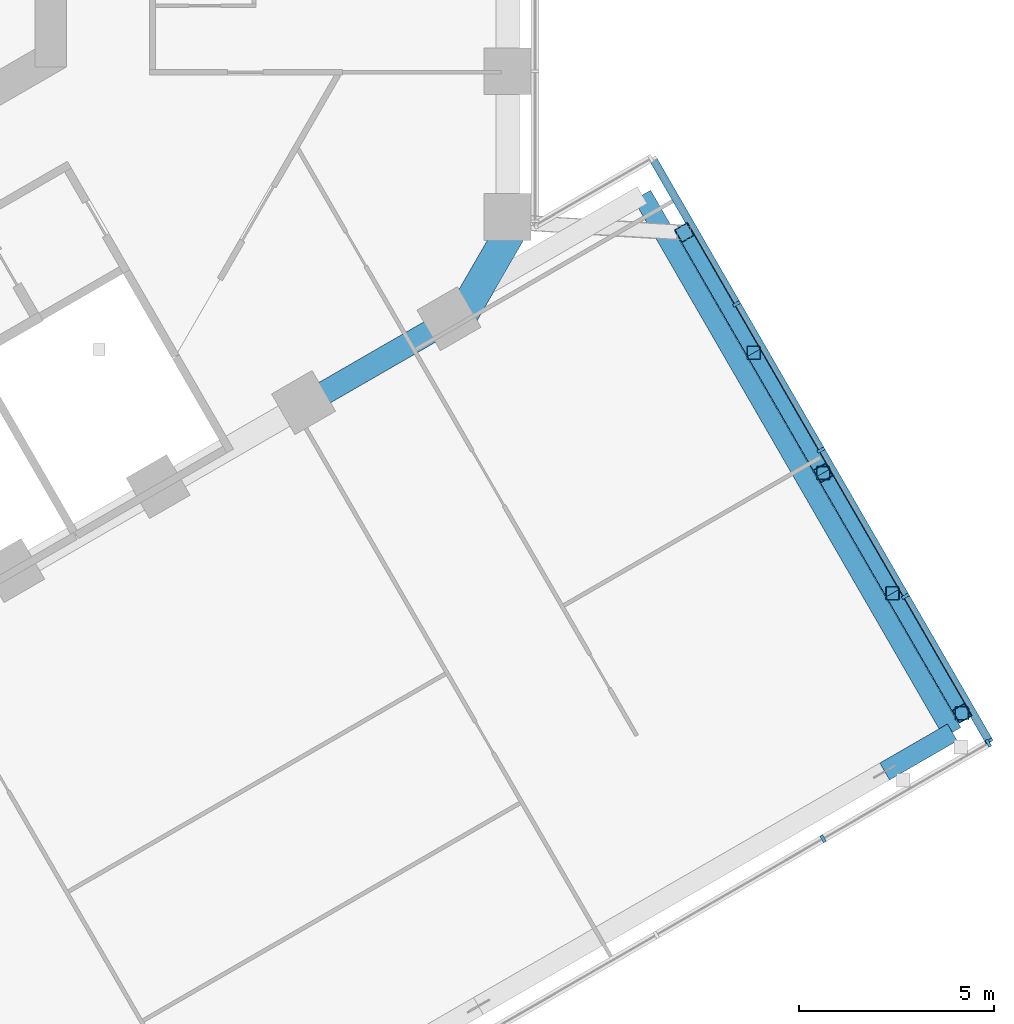
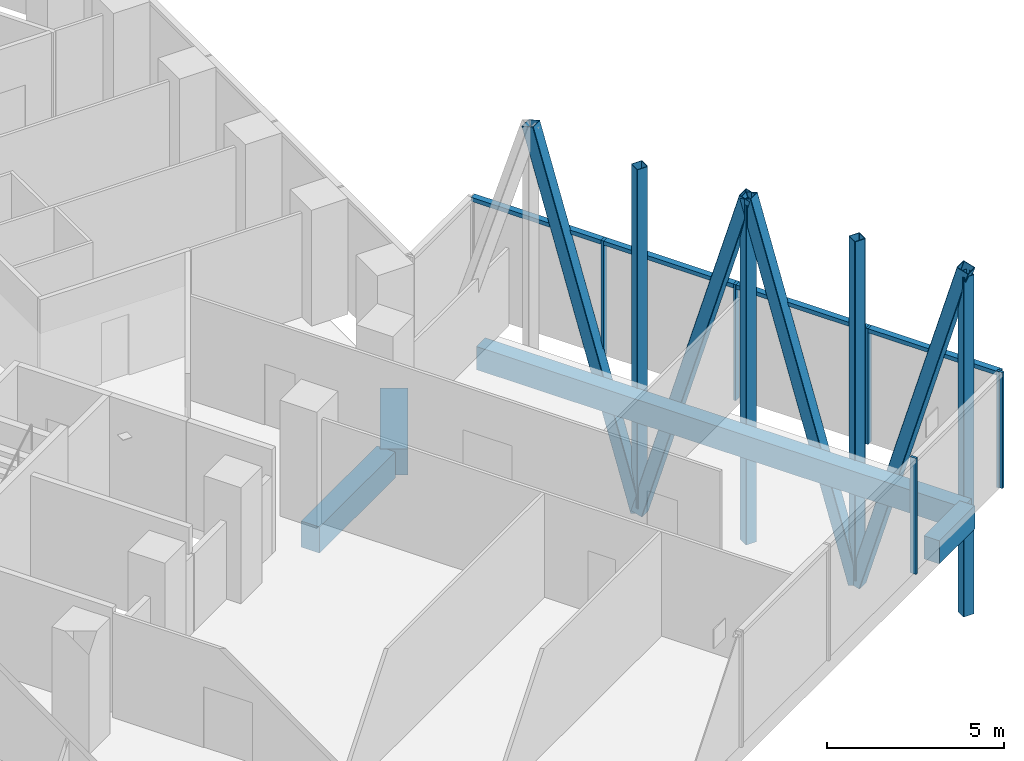
# One storey, part 5 of 27: 15 members, 4 beams, 2 elements without a shape of their own.
"""IFC4 building model written with IfcOpenShell, lengths in metres."""

from ifc_helpers import new_model, si_unit, direction, frame, origin, origin_2d, place, context, subcontext, project, spatial, rectangle, hollow_rectangle, extrude, material, layer, layer_set, material_profile, profile_set, type_object, element, aggregate, save


model = new_model("IFC4")

# Units and contexts
model_context = context("Model", 3, precision=1e-05, world=origin(), true_north=direction((0.0, 1.0)))
body_context = subcontext(model_context, "Body", "Model", "MODEL_VIEW")
ifc_project = project(units=[si_unit("LENGTHUNIT", "METRE"), si_unit("AREAUNIT", "SQUARE_METRE"), si_unit("VOLUMEUNIT", "CUBIC_METRE"), si_unit("PLANEANGLEUNIT", "RADIAN"), si_unit("MASSUNIT", "GRAM", prefix="KILO")], contexts=[model_context])

# Site, building, storey
site_placement = place(None, origin())
site = spatial("IfcSite", under=ifc_project, at=site_placement, CompositionType="ELEMENT")
building_placement = place(site_placement, origin())
building = spatial("IfcBuilding", under=site, at=building_placement, Name="Ayvan Gate Tower", CompositionType="ELEMENT")
storey_placement = place(building_placement, frame((0.0, 0.0, 70.300048828125)))
storey = spatial("IfcBuildingStorey", under=building, at=storey_placement, Name="L18", CompositionType="ELEMENT", Elevation=70.300048828125)

# Beams
ifc_material_1 = material(Name="Concrete C40/50", Category="concrete")
ifc_material_profile_1 = material_profile(ifc_material_1, rectangle(XDim=0.800048828125, YDim=0.89990234375, at=origin_2d()), Name="RC 800x900")
ifc_profile_set_1 = profile_set([ifc_material_profile_1], Name="Concrete C40/50")
beam_type_1 = type_object("IfcBeamType", Name="Corner spandrel beam RC 800x900 C40/50", PredefinedType="BEAM", material=ifc_profile_set_1)
beam_1_placement = place(storey_placement, frame((19.47509765625, -12.090087890625, -0.85009765625), z_axis=(0.50002537861, 0.866010750942, 0.0), x_axis=(-0.866010750942, 0.50002537861, 0.0)))
element("IfcBeam", 1, at=beam_1_placement, inside=storey, type_object=beam_type_1, Name="SB-L18-36", PredefinedType="BEAM", context=body_context, shape_type="SweptSolid", body=[
    extrude(rectangle(XDim=0.800048828125, YDim=0.89990234375, at=origin_2d()), origin(), (0.0, 0.0, 1.0), 2.999755859375),
])
ifc_material_profile_2 = material_profile(ifc_material_1, rectangle(XDim=0.5, YDim=0.800048828125, at=origin_2d()), Name="RC 500x800")
ifc_profile_set_2 = profile_set([ifc_material_profile_2], Name="Concrete C40/50")
beam_type_2 = type_object("IfcBeamType", Name="Sky bar edge beam RC 500x800 C40/50", PredefinedType="BEAM", material=ifc_profile_set_2)
beam_2_placement = place(storey_placement, frame((24.227294921875, -8.762939453125, -0.800048828125), z_axis=(0.500007429784, -0.866021114154, 0.0), x_axis=(0.866021114154, 0.500007429784, 0.0)))
element("IfcBeam", 2, at=beam_2_placement, inside=storey, type_object=beam_type_2, Name="EB-B1-L18-2", PredefinedType="BEAM", context=body_context, shape_type="SweptSolid", body=[
    extrude(rectangle(XDim=0.5, YDim=0.800048828125, at=origin_2d()), origin(), (0.0, 0.0, 1.0), 15.869873046875),
])
beam_3_placement = place(storey_placement, frame((32.162353515625, -22.506591796875, -0.800048828125), z_axis=(-0.866041268327, -0.499972520799, 0.0), x_axis=(0.499972520799, -0.866041268327, 0.0)))
element("IfcBeam", 3, at=beam_3_placement, inside=storey, type_object=beam_type_2, Name="EB-B1-L18-3", PredefinedType="BEAM", context=body_context, shape_type="SweptSolid", body=[
    extrude(rectangle(XDim=0.5, YDim=0.800048828125, at=origin_2d()), origin(), (0.0, 0.0, 1.0), 2.0),
])

# Members
ifc_material_2 = material(Name="Steel S460NH", Category="steel")
ifc_material_profile_3 = material_profile(ifc_material_2, hollow_rectangle(XDim=0.39990234375, YDim=0.39990234375, WallThickness=0.02001953125, InnerFilletRadius=0.02001953125, OuterFilletRadius=0.030029296875, at=origin_2d()), Name="RHS 400x400x20")
ifc_profile_set_3 = profile_set([ifc_material_profile_3], Name="Steel S460NH")
member_type_1 = type_object("IfcMemberType", Name="Sky bar truss brace B1 RHS 400x400x20", PredefinedType="BRACE", material=ifc_profile_set_3)
for number, where, z_axis, x_axis, name in (
    (4, (25.306396484375, -9.7216796875, 7.349853515625), (0.140754903685, -0.243813824223, -0.959553477513), (0.8660424351, 0.499970499736, 0.0), "SBX1-A-D-2"),
    (5, (27.081298828125, -12.796142578125, -4.75), (0.140754903685, -0.243813824223, 0.959553477513), (0.8660424351, 0.499970499736, 0.0), "SBX1-A-D-3"),
    (6, (28.856201171875, -15.87060546875, 7.349853515625), (0.140774545584, -0.243794949524, -0.959555391784), (0.865995461329, 0.500051858269, 0.0), "SBX1-A-D-4"),
    (7, (30.63134765625, -18.94482421875, -4.75), (0.140754903685, -0.243813824223, 0.959553477513), (0.8660424351, 0.499970499736, 0.0), "SBX1-A-D-5"),
):
    element("IfcMember", number, at=place(storey_placement, frame(where, z_axis=z_axis, x_axis=x_axis)), inside=storey, type_object=member_type_1, Name=name, PredefinedType="BRACE", context=body_context, shape_type="SweptSolid", body=[
        extrude(hollow_rectangle(XDim=0.39990234375, YDim=0.39990234375, WallThickness=0.02001953125, InnerFilletRadius=0.02001953125, OuterFilletRadius=0.030029296875, at=origin_2d()), origin(), (0.0, 0.0, 1.0), 12.60986328125),
    ])
ifc_material_profile_4 = material_profile(ifc_material_2, hollow_rectangle(XDim=0.35009765625, YDim=0.35009765625, WallThickness=0.01611328125, InnerFilletRadius=0.01611328125, OuterFilletRadius=0.02392578125, at=origin_2d()), Name="RHS 350x350x16")
ifc_profile_set_4 = profile_set([ifc_material_profile_4], Name="Steel S460NH")
member_type_2 = type_object("IfcMemberType", Name="Sky bar truss post B1 RHS 350x350x16", PredefinedType="POST", material=ifc_profile_set_4)
for number, where, z_axis, x_axis, name in (
    (8, (27.081298828125, -12.796142578125, -4.550048828125), (0.0, 0.0, 1.0), (1.0, 0.0, 0.0), "SBX1-A-P-2"),
    (9, (28.856201171875, -15.87060546875, -4.550048828125), (0.0, 0.0, 1.0), (1.0, 0.0, 0.0), "SBX1-A-P-3"),
    (10, (30.63134765625, -18.94482421875, -4.550048828125), (0.0, 0.0, 1.0), (1.0, 0.0, 0.0), "SBX1-A-P-4"),
    (11, (32.40625, -22.019287109375, -4.550048828125), (0.0, 0.0, 1.0), (1.0, 0.0, 0.0), "SBX1-A-P-5"),
):
    element("IfcMember", number, at=place(storey_placement, frame(where, z_axis=z_axis, x_axis=x_axis)), inside=storey, type_object=member_type_2, Name=name, PredefinedType="POST", context=body_context, shape_type="SweptSolid", body=[
        extrude(hollow_rectangle(XDim=0.35009765625, YDim=0.35009765625, WallThickness=0.01611328125, InnerFilletRadius=0.01611328125, OuterFilletRadius=0.02392578125, at=origin_2d()), origin(), (0.0, 0.0, 1.0), 11.699951171875),
    ])

# Beam
ifc_material_profile_5 = material_profile(ifc_material_1, rectangle(XDim=0.60009765625, YDim=0.89990234375, at=origin_2d()), Name="RC 600x900")
ifc_profile_set_5 = profile_set([ifc_material_profile_5], Name="Concrete C40/50")
beam_type_3 = type_object("IfcBeamType", Name="Spandrel beam RC 600x900 C40/50", PredefinedType="BEAM", material=ifc_profile_set_5)
beam_4_placement = place(storey_placement, frame((15.57421875, -14.122314453125, -0.85009765625), z_axis=(0.866039452998, 0.499975665259, 0.0), x_axis=(-0.499975665259, 0.866039452998, 0.0)))
element("IfcBeam", 12, at=beam_4_placement, inside=storey, type_object=beam_type_3, Name="SB-L18-35", PredefinedType="BEAM", context=body_context, shape_type="SweptSolid", body=[
    extrude(rectangle(XDim=0.60009765625, YDim=0.89990234375, at=origin_2d()), origin(), (0.0, 0.0, 1.0), 4.284423828125),
])

# Curtain wall, members
ifc_material_3 = material(Name="Bronze anodised aluminium", Category="aluminium")
ifc_layer = layer(ifc_material_3, 0.199951171875)
ifc_layer_set = layer_set([ifc_layer], Name="Bronze anodised aluminium")
curtain_wall_type = type_object("IfcCurtainWallType", Name="Stick curtain wall CW-4", PredefinedType="NOTDEFINED", material=ifc_layer_set)
curtain_wall_1_placement = place(storey_placement, origin())
curtain_wall_1 = element("IfcCurtainWall", 13, at=curtain_wall_1_placement, inside=storey, type_object=curtain_wall_type, Name="Stick curtain wall CW-4 L18", PredefinedType="NOTDEFINED")
ifc_material_profile_6 = material_profile(ifc_material_3, rectangle(XDim=0.199951171875, YDim=0.080078125, at=origin_2d()), Name="Stick curtain wall CW-4 mullion 200 x 80")
ifc_profile_set_6 = profile_set([ifc_material_profile_6], Name="Bronze anodised aluminium")
member_type_3 = type_object("IfcMemberType", Name="Stick curtain wall CW-4 mullion 200 x 80", PredefinedType="MULLION", material=ifc_profile_set_6)
member_1_placement = place(storey_placement, frame((28.853271484375, -25.225341796875, 0.0), z_axis=(0.0, 0.0, 1.0), x_axis=(0.5, -0.866025403784, 0.0)))
member_1 = element("IfcMember", 14, at=member_1_placement, type_object=member_type_3, Name="CW-4 mullion 8", PredefinedType="MULLION", context=body_context, shape_type="SweptSolid", body=[
    extrude(rectangle(XDim=0.199951171875, YDim=0.080078125, at=origin_2d()), origin(), (0.0, 0.0, 1.0), 4.0),
])
member_2_placement = place(storey_placement, frame((33.083740234375, -22.782958984375, 0.0), z_axis=(0.0, 0.0, 1.0), x_axis=(0.5, -0.866025403784, 0.0)))
member_2 = element("IfcMember", 15, at=member_2_placement, type_object=member_type_3, Name="CW-4 mullion 9", PredefinedType="MULLION", context=body_context, shape_type="SweptSolid", body=[
    extrude(rectangle(XDim=0.199951171875, YDim=0.080078125, at=origin_2d()), origin(), (0.0, 0.0, 1.0), 4.0),
])
aggregate(curtain_wall_1, [member_1, member_2])

curtain_wall_2_placement = place(storey_placement, origin())
curtain_wall_2 = element("IfcCurtainWall", 16, at=curtain_wall_2_placement, inside=storey, type_object=curtain_wall_type, Name="Stick curtain wall CW-4 L18", PredefinedType="NOTDEFINED")
member_3_placement = place(storey_placement, frame((33.098388671875, -22.728271484375, 0.0), z_axis=(0.0, 0.0, 1.0), x_axis=(0.866025403784, 0.5, 0.0)))
member_3 = element("IfcMember", 17, at=member_3_placement, type_object=member_type_3, Name="CW-4 mullion 1", PredefinedType="MULLION", context=body_context, shape_type="SweptSolid", body=[
    extrude(rectangle(XDim=0.199951171875, YDim=0.080078125, at=origin_2d()), origin(), (0.0, 0.0, 1.0), 4.0),
])
member_4_placement = place(storey_placement, frame((30.959716796875, -19.02392578125, 0.0), z_axis=(0.0, 0.0, 1.0), x_axis=(0.866025403784, 0.5, 0.0)))
member_4 = element("IfcMember", 18, at=member_4_placement, type_object=member_type_3, Name="CW-4 mullion 2", PredefinedType="MULLION", context=body_context, shape_type="SweptSolid", body=[
    extrude(rectangle(XDim=0.199951171875, YDim=0.080078125, at=origin_2d()), origin(), (0.0, 0.0, 1.0), 4.0),
])
member_5_placement = place(storey_placement, frame((28.801025390625, -15.284912109375, 0.0), z_axis=(0.0, 0.0, 1.0), x_axis=(0.866025403784, 0.5, 0.0)))
member_5 = element("IfcMember", 19, at=member_5_placement, type_object=member_type_3, Name="CW-4 mullion 3", PredefinedType="MULLION", context=body_context, shape_type="SweptSolid", body=[
    extrude(rectangle(XDim=0.199951171875, YDim=0.080078125, at=origin_2d()), origin(), (0.0, 0.0, 1.0), 4.0),
])
member_6_placement = place(storey_placement, frame((26.642333984375, -11.5458984375, 0.0), z_axis=(0.0, 0.0, 1.0), x_axis=(0.866025403784, 0.5, 0.0)))
member_6 = element("IfcMember", 20, at=member_6_placement, type_object=member_type_3, Name="CW-4 mullion 4", PredefinedType="MULLION", context=body_context, shape_type="SweptSolid", body=[
    extrude(rectangle(XDim=0.199951171875, YDim=0.080078125, at=origin_2d()), origin(), (0.0, 0.0, 1.0), 4.0),
])
ifc_material_profile_7 = material_profile(ifc_material_3, rectangle(XDim=0.199951171875, YDim=0.139892578125, at=origin_2d()), Name="Stick curtain wall CW-4 transom 200 x 140")
ifc_profile_set_7 = profile_set([ifc_material_profile_7], Name="Bronze anodised aluminium")
member_type_4 = type_object("IfcMemberType", Name="Stick curtain wall CW-4 transom 200 x 140", PredefinedType="USERDEFINED", material=ifc_profile_set_7)
member_7_placement = place(storey_placement, frame((33.098388671875, -22.728271484375, 3.929931640625), z_axis=(-0.499988417402, 0.866032090897, 0.0), x_axis=(-0.866032090897, -0.499988417402, 0.0)))
member_7 = element("IfcMember", 21, at=member_7_placement, type_object=member_type_4, Name="CW-4 transom 1", ObjectType="TRANSOM", PredefinedType="USERDEFINED", context=body_context, shape_type="SweptSolid", body=[
    extrude(rectangle(XDim=0.199951171875, YDim=0.139892578125, at=origin_2d()), origin(), (0.0, 0.0, 1.0), 17.18994140625),
])
aggregate(curtain_wall_2, [member_3, member_4, member_5, member_6, member_7])

save(model, "model.ifc")
